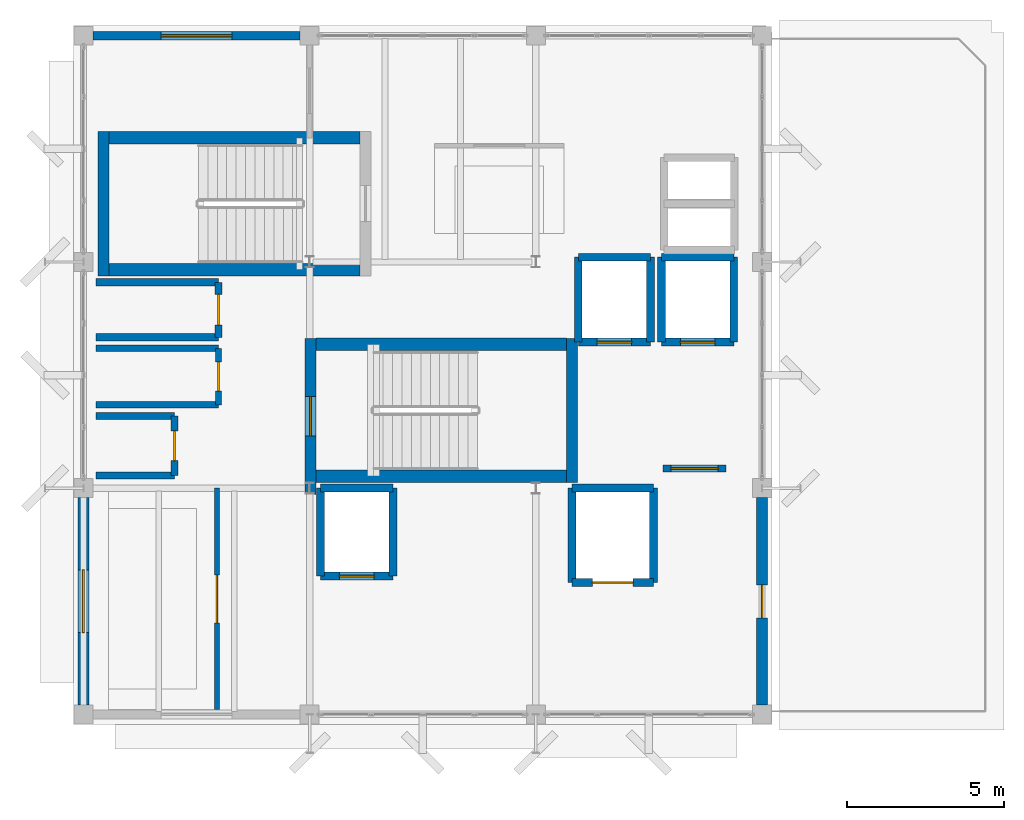
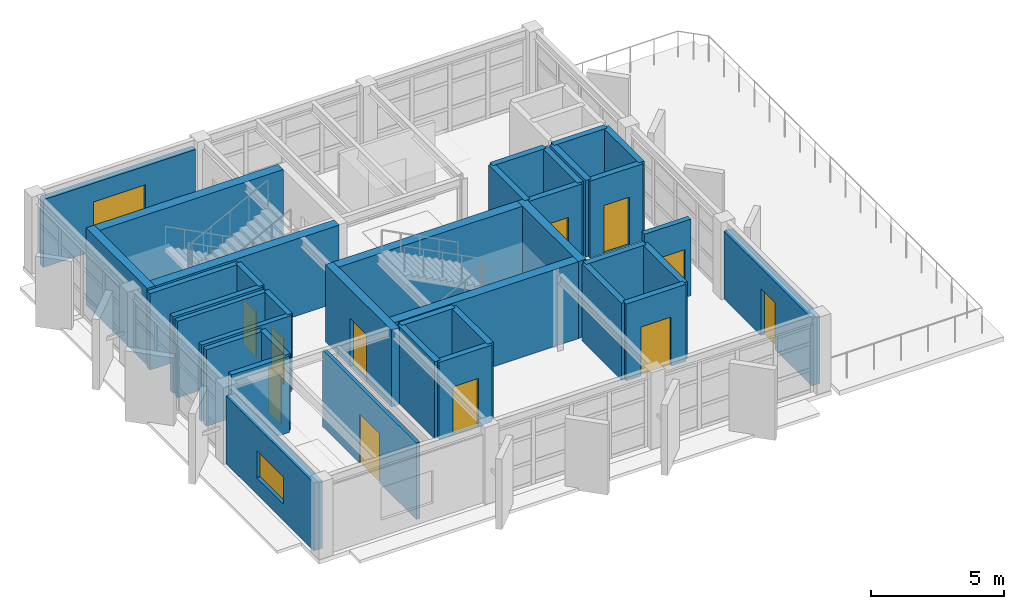
# One storey, part 9 of 13: 37 walls, 11 doors, 2 windows, 13 openings.
"""IFC4 building model written with IfcOpenShell, lengths in metres."""

from ifc_helpers import new_model, si_unit, direction, frame, frame_2d, origin, place, context, subcontext, project, spatial, rectangle, extrude, material, layer, layer_set, type_object, element, fill, save


model = new_model("IFC4")

# Units and contexts
model_context = context("Model", 3, precision=1e-05, world=origin(), true_north=direction((0.0, 1.0)))
body_context = subcontext(model_context, "Body", "Model", "MODEL_VIEW")
ifc_project = project(units=[si_unit("LENGTHUNIT", "METRE"), si_unit("AREAUNIT", "SQUARE_METRE"), si_unit("VOLUMEUNIT", "CUBIC_METRE"), si_unit("PLANEANGLEUNIT", "RADIAN"), si_unit("MASSUNIT", "GRAM", prefix="KILO")], contexts=[model_context])

# Site, building, storey
site_placement = place(None, origin())
site = spatial("IfcSite", under=ifc_project, at=site_placement, CompositionType="ELEMENT")
building_placement = place(site_placement, origin())
building = spatial("IfcBuilding", under=site, at=building_placement, Name="Kandorven Conservatory and Botanical Research Centre", CompositionType="ELEMENT")
storey_placement = place(building_placement, frame((0.0, 0.0, 59.39990234375)))
storey = spatial("IfcBuildingStorey", under=building, at=storey_placement, Name="L15", CompositionType="ELEMENT", Elevation=59.39990234375)

# Walls
ifc_material_1 = material(Name="Concrete C40/50 (M50)", Category="concrete")
ifc_layer_1 = layer(ifc_material_1, 0.39990234375)
ifc_layer_set_1 = layer_set([ifc_layer_1], Name="Concrete C40/50 (M50)")
wall_type_1 = type_object("IfcWallType", Name="Wall_CW-RC-1", PredefinedType="SHEAR", material=ifc_layer_set_1)
for number, where, z_axis, x_axis, name in (
    (1, (13.39990234375, 13.574951171875, 0.0), (0.0, 0.0, 1.0), (1.0, 0.0, 0.0), "Core stair shear wall CW-RC-1 ST-T1 L15 side A"),
    (2, (13.39990234375, 17.77490234375, 0.0), (0.0, 0.0, 1.0), (1.0, 0.0, 0.0), "Core stair shear wall CW-RC-1 ST-T1 L15 side B"),
    (3, (14.800048828125, 24.35498046875, 0.0), (0.0, 0.0, 1.0), (-1.0, 0.0, 0.0), "Core stair shear wall CW-RC-1 ST-T2 L15 side A"),
    (4, (14.800048828125, 20.155029296875, 0.0), (0.0, 0.0, 1.0), (-1.0, 0.0, 0.0), "Core stair shear wall CW-RC-1 ST-T2 L15 side B"),
):
    element("IfcWall", number, at=place(storey_placement, frame(where, z_axis=z_axis, x_axis=x_axis)), inside=storey, type_object=wall_type_1, Name=name, PredefinedType="SHEAR", context=body_context, shape_type="SweptSolid", body=[
        extrude(rectangle(XDim=7.97998046875, YDim=0.39990234375, at=frame_2d((3.989990234375, 0.0))), origin(), (0.0, 0.0, 1.0), 3.530029296875),
    ])

# Wall, opening, door
ifc_material_2 = material(Name="Concrete C40/50 (M50)", Category="concrete")
ifc_layer_2 = layer(ifc_material_2, 0.35009765625)
ifc_layer_set_2 = layer_set([ifc_layer_2], Name="Concrete C40/50 (M50)")
wall_type_2 = type_object("IfcWallType", Name="Wall_CW-RC-2", PredefinedType="SHEAR", material=ifc_layer_set_2)
wall_1_placement = place(storey_placement, frame((13.22509765625, 13.0, 0.0), z_axis=(0.0, 0.0, 1.0), x_axis=(0.0, 1.0, 0.0)))
wall_1 = element("IfcWall", 5, at=wall_1_placement, inside=storey, type_object=wall_type_2, Name="Core stair shear wall CW-RC-2 ST-T1 L15 entry", PredefinedType="SHEAR", context=body_context, shape_type="SweptSolid", body=[
    extrude(rectangle(XDim=4.969970703125, YDim=0.35009765625, at=frame_2d((2.48486328125, 0.0))), origin(), (0.0, 0.0, 1.0), 3.530029296875),
])
opening_1_placement = place(wall_1_placement, frame((1.860107421875, 0.0, 0.0)))
opening_1 = element("IfcOpeningElement", 6, at=opening_1_placement, cuts=wall_1, Name="Opening FD-1", PredefinedType="OPENING", context=body_context, shape_type="SweptSolid", body=[
    extrude(rectangle(XDim=1.25, YDim=2.199951171875, at=frame_2d((0.625, 1.10009765625))), frame((0.0, 0.18505859375, 0.0), z_axis=(0.0, -1.0, 0.0), x_axis=(1.0, 0.0, 0.0)), (0.0, 0.0, 1.0), 0.3701171875),
])
ifc_material_3 = material(Name="Galvanised hollow steel fire door assembly", Category="steel")
door_type_1 = type_object("IfcDoorType", Name="Door_FD-1", OperationType="NOTDEFINED", PredefinedType="DOOR", material=ifc_material_3)
door_1_placement = place(opening_1_placement, origin())
door_1 = element("IfcDoor", 7, at=door_1_placement, inside=storey, type_object=door_type_1, Name="Exit stair fire door FD-1 ST-T1 L15", OperationType="SINGLE_SWING_RIGHT", OverallHeight=2.199951171875, OverallWidth=1.25, PredefinedType="DOOR", context=body_context, shape_type="SweptSolid", body=[
    extrude(rectangle(XDim=1.25, YDim=2.199951171875, at=frame_2d((0.625, 1.10009765625))), frame((0.0, 0.02490234375, 0.0), z_axis=(0.0, -1.0, 0.0), x_axis=(1.0, 0.0, 0.0)), (0.0, 0.0, 1.0), 0.050048828125),
])
fill(opening_1, door_1)

# Walls
for number, where, z_axis, x_axis, name in (
    (8, (21.554931640625, 13.3798828125, 0.0), (0.0, 0.0, 1.0), (0.0, 1.0, 0.0), "Core stair shear wall CW-RC-2 ST-T1 L15 far"),
    (9, (6.64501953125, 24.550048828125, 0.0), (0.0, 0.0, 1.0), (0.0, -1.0, 0.0), "Core stair shear wall CW-RC-2 ST-T2 L15 far"),
):
    element("IfcWall", number, at=place(storey_placement, frame(where, z_axis=z_axis, x_axis=x_axis)), inside=storey, type_object=wall_type_2, Name=name, PredefinedType="SHEAR", context=body_context, shape_type="SweptSolid", body=[
        extrude(rectangle(XDim=4.590087890625, YDim=0.35009765625, at=frame_2d((2.294921875, 0.0))), origin(), (0.0, 0.0, 1.0), 3.530029296875),
    ])

# Wall, opening, door
wall_2_placement = place(storey_placement, frame((21.75, 17.85009765625, 0.0), z_axis=(0.0, 0.0, 1.0), x_axis=(1.0, 0.0, 0.0)))
wall_2 = element("IfcWall", 10, at=wall_2_placement, inside=storey, type_object=wall_type_2, Name="Lift shaft wall FFL-1 L15 S", PredefinedType="SHEAR", context=body_context, shape_type="SweptSolid", body=[
    extrude(rectangle(XDim=2.300048828125, YDim=0.25, at=frame_2d((1.14990234375, 0.0))), origin(), (0.0, 0.0, 1.0), 3.530029296875),
])
opening_2_placement = place(wall_2_placement, frame((0.60009765625, 0.0, 0.0)))
opening_2 = element("IfcOpeningElement", 11, at=opening_2_placement, cuts=wall_2, Name="Opening LD-01", PredefinedType="OPENING", context=body_context, shape_type="SweptSolid", body=[
    extrude(rectangle(XDim=1.10009765625, YDim=2.199951171875, at=frame_2d((0.550048828125, 1.10009765625))), frame((0.0, 0.135009765625, 0.0), z_axis=(0.0, -1.0, 0.0), x_axis=(1.0, 0.0, 0.0)), (0.0, 0.0, 1.0), 0.27001953125),
])
ifc_material_4 = material(Name="Anodised aluminium sliding landing door", Category="aluminium")
door_type_2 = type_object("IfcDoorType", Name="Door_LD-01", OperationType="DOUBLE_DOOR_SLIDING", PredefinedType="DOOR", material=ifc_material_4)
door_2_placement = place(opening_2_placement, origin())
door_2 = element("IfcDoor", 12, at=door_2_placement, inside=storey, type_object=door_type_2, Name="Lift landing sliding door LD-01 (FFL-1 L15)", OperationType="DOUBLE_DOOR_SLIDING", OverallHeight=2.199951171875, OverallWidth=1.10009765625, PredefinedType="DOOR", context=body_context, shape_type="SweptSolid", body=[
    extrude(rectangle(XDim=1.10009765625, YDim=2.199951171875, at=frame_2d((0.550048828125, 1.10009765625))), frame((0.0, 0.02490234375, 0.0), z_axis=(0.0, -1.0, 0.0), x_axis=(1.0, 0.0, 0.0)), (0.0, 0.0, 1.0), 0.050048828125),
])
fill(opening_2, door_2)

# Walls
wall_3_placement = place(storey_placement, frame((21.75, 20.550048828125, 0.0), z_axis=(0.0, 0.0, 1.0), x_axis=(1.0, 0.0, 0.0)))
element("IfcWall", 13, at=wall_3_placement, inside=storey, type_object=wall_type_2, Name="Lift shaft wall FFL-1 L15 N", PredefinedType="SHEAR", context=body_context, shape_type="SweptSolid", body=[
    extrude(rectangle(XDim=2.300048828125, YDim=0.25, at=frame_2d((1.14990234375, 0.0))), origin(), (0.0, 0.0, 1.0), 3.530029296875),
])
for number, where, z_axis, x_axis, name in (
    (14, (21.75, 17.85009765625, 0.0), (0.0, 0.0, 1.0), (0.0, 1.0, 0.0), "Lift shaft wall FFL-1 L15 W"),
    (15, (24.050048828125, 17.85009765625, 0.0), (0.0, 0.0, 1.0), (0.0, 1.0, 0.0), "Lift shaft wall FFL-1 L15 E"),
):
    element("IfcWall", number, at=place(storey_placement, frame(where, z_axis=z_axis, x_axis=x_axis)), inside=storey, type_object=wall_type_2, Name=name, PredefinedType="SHEAR", context=body_context, shape_type="SweptSolid", body=[
        extrude(rectangle(XDim=2.699951171875, YDim=0.25, at=frame_2d((1.35009765625, 0.0))), origin(), (0.0, 0.0, 1.0), 3.530029296875),
    ])

# Wall, opening, door
wall_4_placement = place(storey_placement, frame((24.39990234375, 17.85009765625, 0.0), z_axis=(0.0, 0.0, 1.0), x_axis=(1.0, 0.0, 0.0)))
wall_4 = element("IfcWall", 16, at=wall_4_placement, inside=storey, type_object=wall_type_2, Name="Lift shaft wall FFL-2 L15 S", PredefinedType="SHEAR", context=body_context, shape_type="SweptSolid", body=[
    extrude(rectangle(XDim=2.300048828125, YDim=0.25, at=frame_2d((1.14990234375, 0.0))), origin(), (0.0, 0.0, 1.0), 3.530029296875),
])
opening_3_placement = place(wall_4_placement, frame((0.60009765625, 0.0, 0.0)))
opening_3 = element("IfcOpeningElement", 17, at=opening_3_placement, cuts=wall_4, Name="Opening LD-01", PredefinedType="OPENING", context=body_context, shape_type="SweptSolid", body=[
    extrude(rectangle(XDim=1.10009765625, YDim=2.199951171875, at=frame_2d((0.550048828125, 1.10009765625))), frame((0.0, 0.135009765625, 0.0), z_axis=(0.0, -1.0, 0.0), x_axis=(1.0, 0.0, 0.0)), (0.0, 0.0, 1.0), 0.27001953125),
])
door_3_placement = place(opening_3_placement, origin())
door_3 = element("IfcDoor", 18, at=door_3_placement, inside=storey, type_object=door_type_2, Name="Lift landing sliding door LD-01 (FFL-2 L15)", OperationType="DOUBLE_DOOR_SLIDING", OverallHeight=2.199951171875, OverallWidth=1.10009765625, PredefinedType="DOOR", context=body_context, shape_type="SweptSolid", body=[
    extrude(rectangle(XDim=1.10009765625, YDim=2.199951171875, at=frame_2d((0.550048828125, 1.10009765625))), frame((0.0, 0.02490234375, 0.0), z_axis=(0.0, -1.0, 0.0), x_axis=(1.0, 0.0, 0.0)), (0.0, 0.0, 1.0), 0.050048828125),
])
fill(opening_3, door_3)

# Walls
wall_5_placement = place(storey_placement, frame((24.39990234375, 20.550048828125, 0.0), z_axis=(0.0, 0.0, 1.0), x_axis=(1.0, 0.0, 0.0)))
element("IfcWall", 19, at=wall_5_placement, inside=storey, type_object=wall_type_2, Name="Lift shaft wall FFL-2 L15 N", PredefinedType="SHEAR", context=body_context, shape_type="SweptSolid", body=[
    extrude(rectangle(XDim=2.300048828125, YDim=0.25, at=frame_2d((1.14990234375, 0.0))), origin(), (0.0, 0.0, 1.0), 3.530029296875),
])
for number, where, z_axis, x_axis, name in (
    (20, (24.39990234375, 17.85009765625, 0.0), (0.0, 0.0, 1.0), (0.0, 1.0, 0.0), "Lift shaft wall FFL-2 L15 W"),
    (21, (26.699951171875, 17.85009765625, 0.0), (0.0, 0.0, 1.0), (0.0, 1.0, 0.0), "Lift shaft wall FFL-2 L15 E"),
):
    element("IfcWall", number, at=place(storey_placement, frame(where, z_axis=z_axis, x_axis=x_axis)), inside=storey, type_object=wall_type_2, Name=name, PredefinedType="SHEAR", context=body_context, shape_type="SweptSolid", body=[
        extrude(rectangle(XDim=2.699951171875, YDim=0.25, at=frame_2d((1.35009765625, 0.0))), origin(), (0.0, 0.0, 1.0), 3.530029296875),
    ])

# Wall, opening, door
wall_6_placement = place(storey_placement, frame((13.550048828125, 10.39990234375, 0.0), z_axis=(0.0, 0.0, 1.0), x_axis=(1.0, 0.0, 0.0)))
wall_6 = element("IfcWall", 22, at=wall_6_placement, inside=storey, type_object=wall_type_2, Name="Lift shaft wall PL-1 L15 S", PredefinedType="SHEAR", context=body_context, shape_type="SweptSolid", body=[
    extrude(rectangle(XDim=2.300048828125, YDim=0.25, at=frame_2d((1.14990234375, 0.0))), origin(), (0.0, 0.0, 1.0), 3.530029296875),
])
opening_4_placement = place(wall_6_placement, frame((0.60009765625, 0.0, 0.0)))
opening_4 = element("IfcOpeningElement", 23, at=opening_4_placement, cuts=wall_6, Name="Opening LD-01", PredefinedType="OPENING", context=body_context, shape_type="SweptSolid", body=[
    extrude(rectangle(XDim=1.10009765625, YDim=2.199951171875, at=frame_2d((0.550048828125, 1.10009765625))), frame((0.0, 0.135009765625, 0.0), z_axis=(0.0, -1.0, 0.0), x_axis=(1.0, 0.0, 0.0)), (0.0, 0.0, 1.0), 0.27001953125),
])
door_4_placement = place(opening_4_placement, origin())
door_4 = element("IfcDoor", 24, at=door_4_placement, inside=storey, type_object=door_type_2, Name="Lift landing sliding door LD-01 (PL-1 L15)", OperationType="DOUBLE_DOOR_SLIDING", OverallHeight=2.199951171875, OverallWidth=1.10009765625, PredefinedType="DOOR", context=body_context, shape_type="SweptSolid", body=[
    extrude(rectangle(XDim=1.10009765625, YDim=2.199951171875, at=frame_2d((0.550048828125, 1.10009765625))), frame((0.0, 0.02490234375, 0.0), z_axis=(0.0, -1.0, 0.0), x_axis=(1.0, 0.0, 0.0)), (0.0, 0.0, 1.0), 0.050048828125),
])
fill(opening_4, door_4)

# Walls
wall_7_placement = place(storey_placement, frame((13.550048828125, 13.199951171875, 0.0), z_axis=(0.0, 0.0, 1.0), x_axis=(1.0, 0.0, 0.0)))
element("IfcWall", 25, at=wall_7_placement, inside=storey, type_object=wall_type_2, Name="Lift shaft wall PL-1 L15 N", PredefinedType="SHEAR", context=body_context, shape_type="SweptSolid", body=[
    extrude(rectangle(XDim=2.300048828125, YDim=0.25, at=frame_2d((1.14990234375, 0.0))), origin(), (0.0, 0.0, 1.0), 3.530029296875),
])
for number, where, z_axis, x_axis, name in (
    (26, (13.550048828125, 10.39990234375, 0.0), (0.0, 0.0, 1.0), (0.0, 1.0, 0.0), "Lift shaft wall PL-1 L15 W"),
    (27, (15.85009765625, 10.39990234375, 0.0), (0.0, 0.0, 1.0), (0.0, 1.0, 0.0), "Lift shaft wall PL-1 L15 E"),
):
    element("IfcWall", number, at=place(storey_placement, frame(where, z_axis=z_axis, x_axis=x_axis)), inside=storey, type_object=wall_type_2, Name=name, PredefinedType="SHEAR", context=body_context, shape_type="SweptSolid", body=[
        extrude(rectangle(XDim=2.800048828125, YDim=0.25, at=frame_2d((1.39990234375, 0.0))), origin(), (0.0, 0.0, 1.0), 3.530029296875),
    ])

# Wall, opening, door
wall_8_placement = place(storey_placement, frame((21.550048828125, 10.199951171875, 0.0), z_axis=(0.0, 0.0, 1.0), x_axis=(1.0, 0.0, 0.0)))
wall_8 = element("IfcWall", 28, at=wall_8_placement, inside=storey, type_object=wall_type_2, Name="Lift shaft wall GL-1 L15 S", PredefinedType="SHEAR", context=body_context, shape_type="SweptSolid", body=[
    extrude(rectangle(XDim=2.599853515625, YDim=0.25, at=frame_2d((1.2998046875, 0.0))), origin(), (0.0, 0.0, 1.0), 3.530029296875),
])
opening_5_placement = place(wall_8_placement, frame((0.64990234375, 0.0, 0.0)))
opening_5 = element("IfcOpeningElement", 29, at=opening_5_placement, cuts=wall_8, Name="Opening LD-02", PredefinedType="OPENING", context=body_context, shape_type="SweptSolid", body=[
    extrude(rectangle(XDim=1.300048828125, YDim=2.25, at=frame_2d((0.64990234375, 1.125))), frame((0.0, 0.135009765625, 0.0), z_axis=(0.0, -1.0, 0.0), x_axis=(1.0, 0.0, 0.0)), (0.0, 0.0, 1.0), 0.27001953125),
])
ifc_material_5 = material(Name="Anodised aluminium sliding landing door", Category="aluminium")
door_type_3 = type_object("IfcDoorType", Name="Door_LD-02", OperationType="DOUBLE_DOOR_SLIDING", PredefinedType="DOOR", material=ifc_material_5)
door_5_placement = place(opening_5_placement, origin())
door_5 = element("IfcDoor", 30, at=door_5_placement, inside=storey, type_object=door_type_3, Name="Lift landing sliding door LD-02 (GL-1 L15)", OperationType="DOUBLE_DOOR_SLIDING", OverallHeight=2.25, OverallWidth=1.300048828125, PredefinedType="DOOR", context=body_context, shape_type="SweptSolid", body=[
    extrude(rectangle(XDim=1.300048828125, YDim=2.25, at=frame_2d((0.64990234375, 1.125))), frame((0.0, 0.02490234375, 0.0), z_axis=(0.0, -1.0, 0.0), x_axis=(1.0, 0.0, 0.0)), (0.0, 0.0, 1.0), 0.050048828125),
])
fill(opening_5, door_5)

# Walls
wall_9_placement = place(storey_placement, frame((21.550048828125, 13.199951171875, 0.0), z_axis=(0.0, 0.0, 1.0), x_axis=(1.0, 0.0, 0.0)))
element("IfcWall", 31, at=wall_9_placement, inside=storey, type_object=wall_type_2, Name="Lift shaft wall GL-1 L15 N", PredefinedType="SHEAR", context=body_context, shape_type="SweptSolid", body=[
    extrude(rectangle(XDim=2.599853515625, YDim=0.25, at=frame_2d((1.2998046875, 0.0))), origin(), (0.0, 0.0, 1.0), 3.530029296875),
])
for number, where, z_axis, x_axis, name in (
    (32, (21.550048828125, 10.199951171875, 0.0), (0.0, 0.0, 1.0), (0.0, 1.0, 0.0), "Lift shaft wall GL-1 L15 W"),
    (33, (24.14990234375, 10.199951171875, 0.0), (0.0, 0.0, 1.0), (0.0, 1.0, 0.0), "Lift shaft wall GL-1 L15 E"),
):
    element("IfcWall", number, at=place(storey_placement, frame(where, z_axis=z_axis, x_axis=x_axis)), inside=storey, type_object=wall_type_2, Name=name, PredefinedType="SHEAR", context=body_context, shape_type="SweptSolid", body=[
        extrude(rectangle(XDim=3.0, YDim=0.25, at=frame_2d((1.5, 0.0))), origin(), (0.0, 0.0, 1.0), 3.530029296875),
    ])

# Wall, opening, window
ifc_material_6 = material(Name="Concrete C40/50 (M50)", Category="concrete")
ifc_layer_3 = layer(ifc_material_6, 0.360107421875)
ifc_layer_set_3 = layer_set([ifc_layer_3], Name="Concrete C40/50 (M50)")
wall_type_3 = type_object("IfcWallType", Name="Wall_EW-01", PredefinedType="STANDARD", material=ifc_layer_set_3)
wall_10_placement = place(storey_placement, frame((6.0, 6.300048828125, 0.0), z_axis=(0.0, 0.0, 1.0), x_axis=(0.0, 1.0, 0.0)))
wall_10 = element("IfcWall", 34, at=wall_10_placement, inside=storey, type_object=wall_type_3, Name="Tower concrete facade wall EW-01 W L15", PredefinedType="STANDARD", context=body_context, shape_type="SweptSolid", body=[
    extrude(rectangle(XDim=6.599853515625, YDim=0.360107421875, at=frame_2d((3.2998046875, 0.0))), origin(), (0.0, 0.0, 1.0), 3.110107421875),
])
opening_6_placement = place(wall_10_placement, frame((2.300048828125, 0.0, 0.75)))
opening_6 = element("IfcOpeningElement", 35, at=opening_6_placement, cuts=wall_10, Name="Opening W-48", PredefinedType="OPENING", context=body_context, shape_type="SweptSolid", body=[
    extrude(rectangle(XDim=2.0, YDim=1.25, at=frame_2d((1.0, 0.625))), frame((0.0, 0.18994140625, 0.0), z_axis=(0.0, -1.0, 0.0), x_axis=(1.0, 0.0, 0.0)), (0.0, 0.0, 1.0), 0.380126953125),
])
ifc_material_7 = material(Name="Double-glazed solar-control low-E glass", Category="glass")
window_type_1 = type_object("IfcWindowType", Name="Win_W-48", PartitioningType="DOUBLE_PANEL_VERTICAL", PredefinedType="WINDOW", material=ifc_material_7)
window_1_placement = place(opening_6_placement, origin())
window_1 = element("IfcWindow", 36, at=window_1_placement, inside=storey, type_object=window_type_1, Name="Tower recessed solar window W-48", OverallHeight=1.25, OverallWidth=2.0, PartitioningType="SINGLE_PANEL", PredefinedType="WINDOW", context=body_context, shape_type="SweptSolid", body=[
    extrude(rectangle(XDim=2.0, YDim=1.25, at=frame_2d((1.0, 0.625))), frame((0.0, 0.030029296875, 0.0), z_axis=(0.0, -1.0, 0.0), x_axis=(1.0, 0.0, 0.0)), (0.0, 0.0, 1.0), 0.06005859375),
])
fill(opening_6, window_1)

# Wall, opening, door
wall_11_placement = place(storey_placement, frame((27.60009765625, 6.300048828125, 0.0), z_axis=(0.0, 0.0, 1.0), x_axis=(0.0, 1.0, 0.0)))
wall_11 = element("IfcWall", 37, at=wall_11_placement, inside=storey, type_object=wall_type_3, Name="Tower concrete facade wall EW-01 E L15", PredefinedType="STANDARD", context=body_context, shape_type="SweptSolid", body=[
    extrude(rectangle(XDim=6.599853515625, YDim=0.360107421875, at=frame_2d((3.2998046875, 0.0))), origin(), (0.0, 0.0, 1.0), 3.110107421875),
])
opening_7_placement = place(wall_11_placement, frame((2.77490234375, 0.0, 0.0)))
opening_7 = element("IfcOpeningElement", 38, at=opening_7_placement, cuts=wall_11, Name="Opening TD-02", PredefinedType="OPENING", context=body_context, shape_type="SweptSolid", body=[
    extrude(rectangle(XDim=1.050048828125, YDim=2.14990234375, at=frame_2d((0.52490234375, 1.074951171875))), frame((0.0, 0.18994140625, 0.0), z_axis=(0.0, -1.0, 0.0), x_axis=(1.0, 0.0, 0.0)), (0.0, 0.0, 1.0), 0.380126953125),
])
ifc_material_8 = material(Name="Bronze anodised thermally broken aluminium", Category="aluminium")
door_type_4 = type_object("IfcDoorType", Name="Door_TD-02", OperationType="NOTDEFINED", PredefinedType="DOOR", material=ifc_material_8)
door_6_placement = place(opening_7_placement, frame((1.050048828125, 0.0, 0.0), z_axis=(0.0, 0.0, 1.0), x_axis=(-1.0, 0.0, 0.0)))
door_6 = element("IfcDoor", 39, at=door_6_placement, inside=storey, type_object=door_type_4, Name="Level L15 guarded terrace access door TD-02", OperationType="SINGLE_SWING_LEFT", OverallHeight=2.14990234375, OverallWidth=1.050048828125, PredefinedType="DOOR", context=body_context, shape_type="SweptSolid", body=[
    extrude(rectangle(XDim=1.050048828125, YDim=2.14990234375, at=frame_2d((0.52490234375, 1.074951171875))), frame((0.0, 0.02490234375, 0.0), z_axis=(0.0, -1.0, 0.0), x_axis=(1.0, 0.0, 0.0)), (0.0, 0.0, 1.0), 0.050048828125),
])
fill(opening_7, door_6)

# Wall, opening, window
ifc_material_9 = material(Name="Concrete C32/40 (M40)", Category="concrete")
ifc_layer_4 = layer(ifc_material_9, 0.280029296875)
ifc_layer_set_4 = layer_set([ifc_layer_4], Name="Concrete C32/40 (M40)")
wall_type_4 = type_object("IfcWallType", Name="Wall_EW-05", PredefinedType="STANDARD", material=ifc_layer_set_4)
wall_12_placement = place(storey_placement, frame((6.300048828125, 27.60009765625, 0.0), z_axis=(0.0, 0.0, 1.0), x_axis=(1.0, 0.0, 0.0)))
wall_12 = element("IfcWall", 40, at=wall_12_placement, inside=storey, type_object=wall_type_4, Name="Tower concrete facade wall EW-05 N L15", PredefinedType="STANDARD", context=body_context, shape_type="SweptSolid", body=[
    extrude(rectangle(XDim=6.599853515625, YDim=0.280029296875, at=frame_2d((3.2998046875, 0.0))), origin(), (0.0, 0.0, 1.0), 3.110107421875),
])
opening_8_placement = place(wall_12_placement, frame((2.175048828125, 0.0, 0.75)))
opening_8 = element("IfcOpeningElement", 41, at=opening_8_placement, cuts=wall_12, Name="Opening W-43", PredefinedType="OPENING", context=body_context, shape_type="SweptSolid", body=[
    extrude(rectangle(XDim=2.25, YDim=1.5, at=frame_2d((1.125, 0.75))), frame((0.0, 0.14990234375, 0.0), z_axis=(0.0, -1.0, 0.0), x_axis=(1.0, 0.0, 0.0)), (0.0, 0.0, 1.0), 0.300048828125),
])
ifc_material_10 = material(Name="Double-glazed solar-control low-E glass", Category="glass")
window_type_2 = type_object("IfcWindowType", Name="Win_W-43", PartitioningType="DOUBLE_PANEL_VERTICAL", PredefinedType="WINDOW", material=ifc_material_10)
window_2_placement = place(opening_8_placement, origin())
window_2 = element("IfcWindow", 42, at=window_2_placement, inside=storey, type_object=window_type_2, Name="Tower recessed solar window W-43", OverallHeight=1.5, OverallWidth=2.25, PartitioningType="SINGLE_PANEL", PredefinedType="WINDOW", context=body_context, shape_type="SweptSolid", body=[
    extrude(rectangle(XDim=2.25, YDim=1.5, at=frame_2d((1.125, 0.75))), frame((0.0, 0.030029296875, 0.0), z_axis=(0.0, -1.0, 0.0), x_axis=(1.0, 0.0, 0.0)), (0.0, 0.0, 1.0), 0.06005859375),
])
fill(opening_8, window_2)

# Wall, opening, door
ifc_material_11 = material(Name="Fire-rated acoustic gypsum board partition", Category="gypsum")
ifc_layer_5 = layer(ifc_material_11, 0.14990234375)
ifc_layer_set_5 = layer_set([ifc_layer_5], Name="Fire-rated acoustic gypsum board partition")
wall_type_5 = type_object("IfcWallType", Name="Wall_IW-05", PredefinedType="PARTITIONING", material=ifc_layer_set_5)
wall_13_placement = place(storey_placement, frame((10.25, 6.14990234375, 0.0), z_axis=(0.0, 0.0, 1.0), x_axis=(0.0, 1.0, 0.0)))
wall_13 = element("IfcWall", 43, at=wall_13_placement, inside=storey, type_object=wall_type_5, Name="Interior partition wall IW-05 (Botanical Fellows Reading Room L15)", PredefinedType="PARTITIONING", context=body_context, shape_type="SweptSolid", body=[
    extrude(rectangle(XDim=7.050048828125, YDim=0.14990234375, at=frame_2d((3.52490234375, 0.0))), origin(), (0.0, 0.0, 1.0), 3.510009765625),
])
opening_9_placement = place(wall_13_placement, frame((2.764892578125, 0.0, 0.0)))
opening_9 = element("IfcOpeningElement", 44, at=opening_9_placement, cuts=wall_13, Name="Opening D-26", PredefinedType="OPENING", context=body_context, shape_type="SweptSolid", body=[
    extrude(rectangle(XDim=1.52001953125, YDim=2.260009765625, at=frame_2d((0.760009765625, 1.1298828125))), frame((0.0, 0.0849609375, 0.0), z_axis=(0.0, -1.0, 0.0), x_axis=(1.0, 0.0, 0.0)), (0.0, 0.0, 1.0), 0.169921875),
])
ifc_material_12 = material(Name="Solid core acoustic teak-veneered timber leaf", Category="wood")
door_type_5 = type_object("IfcDoorType", Name="Door_D-26", OperationType="NOTDEFINED", PredefinedType="DOOR", material=ifc_material_12)
door_7_placement = place(opening_9_placement, origin())
door_7 = element("IfcDoor", 45, at=door_7_placement, inside=storey, type_object=door_type_5, Name="Interior door D-26 to Botanical Fellows Reading Room L15", OperationType="SINGLE_SWING_RIGHT", OverallHeight=2.260009765625, OverallWidth=1.52001953125, PredefinedType="DOOR", context=body_context, shape_type="SweptSolid", body=[
    extrude(rectangle(XDim=1.52001953125, YDim=2.260009765625, at=frame_2d((0.760009765625, 1.1298828125))), frame((0.0, 0.02490234375, 0.0), z_axis=(0.0, -1.0, 0.0), x_axis=(1.0, 0.0, 0.0)), (0.0, 0.0, 1.0), 0.050048828125),
])
fill(opening_9, door_7)

ifc_material_13 = material(Name="Concrete C32/40 (M40)", Category="concrete")
ifc_layer_6 = layer(ifc_material_13, 0.22509765625)
ifc_layer_set_6 = layer_set([ifc_layer_6], Name="Concrete C32/40 (M40)")
wall_type_6 = type_object("IfcWallType", Name="Wall_IW-FR-2", PredefinedType="SOLIDWALL", material=ifc_layer_set_6)
wall_14_placement = place(storey_placement, frame((24.449951171875, 13.820068359375, 0.0), z_axis=(0.0, 0.0, 1.0), x_axis=(1.0, 0.0, 0.0)))
wall_14 = element("IfcWall", 46, at=wall_14_placement, inside=storey, type_object=wall_type_6, Name="Interior fire partition wall IW-FR-2 (Firefighting Lift Lobby L15)", PredefinedType="SOLIDWALL", context=body_context, shape_type="SweptSolid", body=[
    extrude(rectangle(XDim=2.0, YDim=0.22509765625, at=frame_2d((1.0, 0.0))), origin(), (0.0, 0.0, 1.0), 3.510009765625),
])
opening_10_placement = place(wall_14_placement, frame((0.25, 0.0, 0.0)))
opening_10 = element("IfcOpeningElement", 47, at=opening_10_placement, cuts=wall_14, Name="Opening FD-3", PredefinedType="OPENING", context=body_context, shape_type="SweptSolid", body=[
    extrude(rectangle(XDim=1.5, YDim=2.199951171875, at=frame_2d((0.75, 1.10009765625))), frame((0.0, 0.12255859375, 0.0), z_axis=(0.0, -1.0, 0.0), x_axis=(1.0, 0.0, 0.0)), (0.0, 0.0, 1.0), 0.2451171875),
])
ifc_material_14 = material(Name="Galvanised hollow steel fire door assembly", Category="steel")
door_type_6 = type_object("IfcDoorType", Name="Door_FD-3", OperationType="NOTDEFINED", PredefinedType="DOOR", material=ifc_material_14)
door_8_placement = place(opening_10_placement, frame((1.5, 0.0, 0.0), z_axis=(0.0, 0.0, 1.0), x_axis=(-1.0, 0.0, 0.0)))
door_8 = element("IfcDoor", 48, at=door_8_placement, inside=storey, type_object=door_type_6, Name="Interior door FD-3 to Firefighting Lift Lobby L15", OperationType="SINGLE_SWING_LEFT", OverallHeight=2.199951171875, OverallWidth=1.5, PredefinedType="DOOR", context=body_context, shape_type="SweptSolid", body=[
    extrude(rectangle(XDim=1.5, YDim=2.199951171875, at=frame_2d((0.75, 1.10009765625))), frame((0.0, 0.02490234375, 0.0), z_axis=(0.0, -1.0, 0.0), x_axis=(1.0, 0.0, 0.0)), (0.0, 0.0, 1.0), 0.050048828125),
])
fill(opening_10, door_8)

ifc_material_15 = material(Name="Autoclaved aerated concrete blockwork masonry", Category="masonry")
ifc_layer_7 = layer(ifc_material_15, 0.22998046875)
ifc_layer_set_7 = layer_set([ifc_layer_7], Name="Autoclaved aerated concrete blockwork masonry")
wall_type_7 = type_object("IfcWallType", Name="Wall_PW-PL-1", PredefinedType="PLUMBINGWALL", material=ifc_layer_set_7)
wall_15_placement = place(storey_placement, frame((8.89990234375, 13.60009765625, 0.0), z_axis=(0.0, 0.0, 1.0), x_axis=(0.0, 1.0, 0.0)))
wall_15 = element("IfcWall", 49, at=wall_15_placement, inside=storey, type_object=wall_type_7, Name="Interior partition wall PW-PL-1 (Accessible WC L15)", PredefinedType="PLUMBINGWALL", context=body_context, shape_type="SweptSolid", body=[
    extrude(rectangle(XDim=1.89990234375, YDim=0.22998046875, at=frame_2d((0.949951171875, 0.0))), origin(), (0.0, 0.0, 1.0), 3.510009765625),
])
opening_11_placement = place(wall_15_placement, frame((0.47509765625, 0.0, 0.0)))
opening_11 = element("IfcOpeningElement", 50, at=opening_11_placement, cuts=wall_15, Name="Opening D-01", PredefinedType="OPENING", context=body_context, shape_type="SweptSolid", body=[
    extrude(rectangle(XDim=0.949951171875, YDim=2.14990234375, at=frame_2d((0.47509765625, 1.074951171875))), frame((0.0, 0.125, 0.0), z_axis=(0.0, -1.0, 0.0), x_axis=(1.0, 0.0, 0.0)), (0.0, 0.0, 1.0), 0.25),
])
ifc_material_16 = material(Name="Solid core acoustic teak-veneered timber leaf", Category="wood")
door_type_7 = type_object("IfcDoorType", Name="Door_D-01", OperationType="NOTDEFINED", PredefinedType="DOOR", material=ifc_material_16)
door_9_placement = place(opening_11_placement, origin())
door_9 = element("IfcDoor", 51, at=door_9_placement, inside=storey, type_object=door_type_7, Name="Interior door D-01 to Accessible WC L15", OperationType="SINGLE_SWING_RIGHT", OverallHeight=2.14990234375, OverallWidth=0.949951171875, PredefinedType="DOOR", context=body_context, shape_type="SweptSolid", body=[
    extrude(rectangle(XDim=0.949951171875, YDim=2.14990234375, at=frame_2d((0.47509765625, 1.074951171875))), frame((0.0, 0.02490234375, 0.0), z_axis=(0.0, -1.0, 0.0), x_axis=(1.0, 0.0, 0.0)), (0.0, 0.0, 1.0), 0.050048828125),
])
fill(opening_11, door_9)

# Walls
for number, where, z_axis, x_axis, name in (
    (52, (6.39990234375, 13.60009765625, 0.0), (0.0, 0.0, 1.0), (1.0, 0.0, 0.0), "Sanitary enclosure wall PW-PL-1 (Accessible WC L15 S)"),
    (53, (6.39990234375, 15.5, 0.0), (0.0, 0.0, 1.0), (1.0, 0.0, 0.0), "Sanitary enclosure wall PW-PL-1 (Accessible WC L15 N)"),
):
    element("IfcWall", number, at=place(storey_placement, frame(where, z_axis=z_axis, x_axis=x_axis)), inside=storey, type_object=wall_type_7, Name=name, PredefinedType="PLUMBINGWALL", context=body_context, shape_type="SweptSolid", body=[
        extrude(rectangle(XDim=2.5, YDim=0.22998046875, at=frame_2d((1.25, 0.0))), origin(), (0.0, 0.0, 1.0), 3.510009765625),
    ])

# Wall, opening, door
wall_16_placement = place(storey_placement, frame((10.300048828125, 18.0, 0.0), z_axis=(0.0, 0.0, 1.0), x_axis=(0.0, 1.0, 0.0)))
wall_16 = element("IfcWall", 54, at=wall_16_placement, inside=storey, type_object=wall_type_7, Name="Interior partition wall PW-PL-1 (Staff Male WC L15)", PredefinedType="PLUMBINGWALL", context=body_context, shape_type="SweptSolid", body=[
    extrude(rectangle(XDim=1.75, YDim=0.22998046875, at=frame_2d((0.875, 0.0))), origin(), (0.0, 0.0, 1.0), 3.510009765625),
])
opening_12_placement = place(wall_16_placement, frame((0.385009765625, 0.0, 0.0)))
opening_12 = element("IfcOpeningElement", 55, at=opening_12_placement, cuts=wall_16, Name="Opening D-12", PredefinedType="OPENING", context=body_context, shape_type="SweptSolid", body=[
    extrude(rectangle(XDim=0.97998046875, YDim=2.10009765625, at=frame_2d((0.489990234375, 1.050048828125))), frame((0.0, 0.125, 0.0), z_axis=(0.0, -1.0, 0.0), x_axis=(1.0, 0.0, 0.0)), (0.0, 0.0, 1.0), 0.25),
])
ifc_material_17 = material(Name="Solid core acoustic teak-veneered timber leaf", Category="wood")
door_type_8 = type_object("IfcDoorType", Name="Door_D-12", OperationType="NOTDEFINED", PredefinedType="DOOR", material=ifc_material_17)
door_10_placement = place(opening_12_placement, frame((0.97998046875, 0.0, 0.0), z_axis=(0.0, 0.0, 1.0), x_axis=(-1.0, 0.0, 0.0)))
door_10 = element("IfcDoor", 56, at=door_10_placement, inside=storey, type_object=door_type_8, Name="Interior door D-12 to Staff Male WC L15", OperationType="SINGLE_SWING_RIGHT", OverallHeight=2.10009765625, OverallWidth=0.97998046875, PredefinedType="DOOR", context=body_context, shape_type="SweptSolid", body=[
    extrude(rectangle(XDim=0.97998046875, YDim=2.10009765625, at=frame_2d((0.489990234375, 1.050048828125))), frame((0.0, 0.02490234375, 0.0), z_axis=(0.0, -1.0, 0.0), x_axis=(1.0, 0.0, 0.0)), (0.0, 0.0, 1.0), 0.050048828125),
])
fill(opening_12, door_10)

# Walls
for number, where, z_axis, x_axis, name in (
    (57, (6.39990234375, 18.0, 0.0), (0.0, 0.0, 1.0), (1.0, 0.0, 0.0), "Sanitary enclosure wall PW-PL-1 (Staff Male WC L15 S)"),
    (58, (6.39990234375, 19.75, 0.0), (0.0, 0.0, 1.0), (1.0, 0.0, 0.0), "Sanitary enclosure wall PW-PL-1 (Staff Male WC L15 N)"),
):
    element("IfcWall", number, at=place(storey_placement, frame(where, z_axis=z_axis, x_axis=x_axis)), inside=storey, type_object=wall_type_7, Name=name, PredefinedType="PLUMBINGWALL", context=body_context, shape_type="SweptSolid", body=[
        extrude(rectangle(XDim=3.900146484375, YDim=0.22998046875, at=frame_2d((1.9501953125, 0.0))), origin(), (0.0, 0.0, 1.0), 3.510009765625),
    ])

# Wall, opening, door
ifc_material_18 = material(Name="Autoclaved aerated concrete blockwork masonry", Category="masonry")
ifc_layer_8 = layer(ifc_material_18, 0.205078125)
ifc_layer_set_8 = layer_set([ifc_layer_8], Name="Autoclaved aerated concrete blockwork masonry")
wall_type_8 = type_object("IfcWallType", Name="Wall_PW-PL-2", PredefinedType="PLUMBINGWALL", material=ifc_layer_set_8)
wall_17_placement = place(storey_placement, frame((10.300048828125, 15.85009765625, 0.0), z_axis=(0.0, 0.0, 1.0), x_axis=(0.0, 1.0, 0.0)))
wall_17 = element("IfcWall", 59, at=wall_17_placement, inside=storey, type_object=wall_type_8, Name="Interior partition wall PW-PL-2 (Staff Female WC L15)", PredefinedType="PLUMBINGWALL", context=body_context, shape_type="SweptSolid", body=[
    extrude(rectangle(XDim=1.7998046875, YDim=0.205078125, at=frame_2d((0.89990234375, 0.0))), origin(), (0.0, 0.0, 1.0), 3.510009765625),
])
opening_13_placement = place(wall_17_placement, frame((0.43994140625, 0.0, 0.0)))
opening_13 = element("IfcOpeningElement", 60, at=opening_13_placement, cuts=wall_17, Name="Opening D-11", PredefinedType="OPENING", context=body_context, shape_type="SweptSolid", body=[
    extrude(rectangle(XDim=0.919921875, YDim=2.10009765625, at=frame_2d((0.4599609375, 1.050048828125))), frame((0.0, 0.112548828125, 0.0), z_axis=(0.0, -1.0, 0.0), x_axis=(1.0, 0.0, 0.0)), (0.0, 0.0, 1.0), 0.22509765625),
])
ifc_material_19 = material(Name="Solid core acoustic teak-veneered timber leaf", Category="wood")
door_type_9 = type_object("IfcDoorType", Name="Door_D-11", OperationType="NOTDEFINED", PredefinedType="DOOR", material=ifc_material_19)
door_11_placement = place(opening_13_placement, origin())
door_11 = element("IfcDoor", 61, at=door_11_placement, inside=storey, type_object=door_type_9, Name="Interior door D-11 to Staff Female WC L15", OperationType="SINGLE_SWING_LEFT", OverallHeight=2.10009765625, OverallWidth=0.919921875, PredefinedType="DOOR", context=body_context, shape_type="SweptSolid", body=[
    extrude(rectangle(XDim=0.919921875, YDim=2.10009765625, at=frame_2d((0.4599609375, 1.050048828125))), frame((0.0, 0.02490234375, 0.0), z_axis=(0.0, -1.0, 0.0), x_axis=(1.0, 0.0, 0.0)), (0.0, 0.0, 1.0), 0.050048828125),
])
fill(opening_13, door_11)

# Walls
for number, where, z_axis, x_axis, name in (
    (62, (6.39990234375, 15.85009765625, 0.0), (0.0, 0.0, 1.0), (1.0, 0.0, 0.0), "Sanitary enclosure wall PW-PL-2 (Staff Female WC L15 S)"),
    (63, (6.39990234375, 17.64990234375, 0.0), (0.0, 0.0, 1.0), (1.0, 0.0, 0.0), "Sanitary enclosure wall PW-PL-2 (Staff Female WC L15 N)"),
):
    element("IfcWall", number, at=place(storey_placement, frame(where, z_axis=z_axis, x_axis=x_axis)), inside=storey, type_object=wall_type_8, Name=name, PredefinedType="PLUMBINGWALL", context=body_context, shape_type="SweptSolid", body=[
        extrude(rectangle(XDim=3.900146484375, YDim=0.205078125, at=frame_2d((1.9501953125, 0.0))), origin(), (0.0, 0.0, 1.0), 3.510009765625),
    ])

save(model, "model.ifc")
